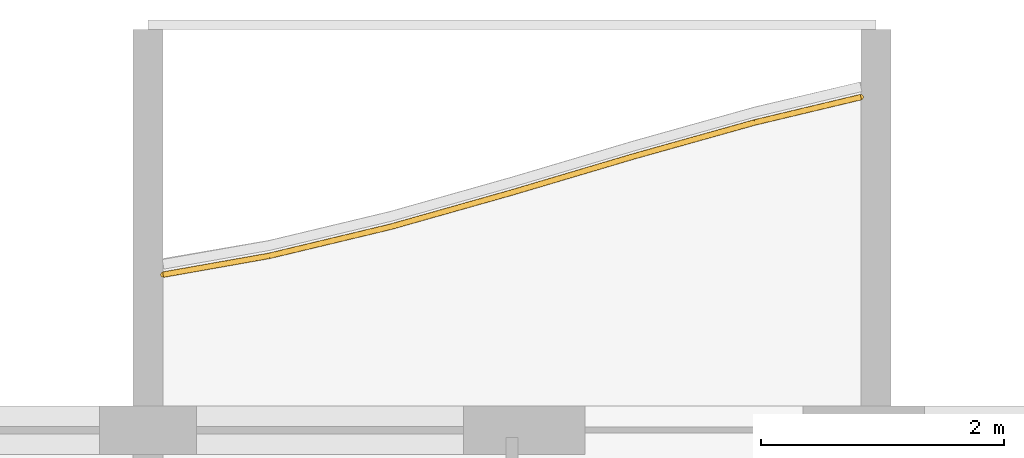
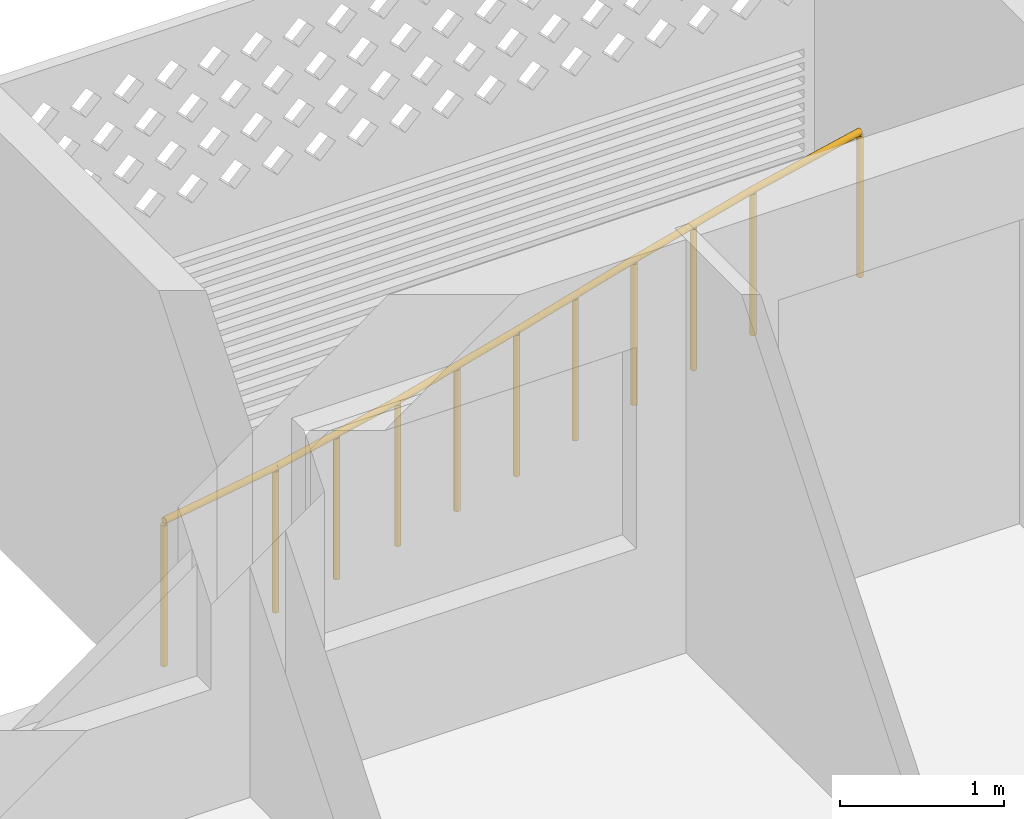
# One storey, part 19 of 26: 1 railing.
"""IFC4 building model written with IfcOpenShell, lengths in metres."""

from ifc_helpers import new_model, si_unit, direction, frame, origin, origin_2d, place, context, subcontext, project, spatial, circle, extrude, material, type_object, element, save


model = new_model("IFC4")

# Units and contexts
model_context = context("Model", 3, precision=1e-05, world=origin(), true_north=direction((0.0, 1.0)))
body_context = subcontext(model_context, "Body", "Model", "MODEL_VIEW")
ifc_project = project(units=[si_unit("LENGTHUNIT", "METRE"), si_unit("AREAUNIT", "SQUARE_METRE"), si_unit("VOLUMEUNIT", "CUBIC_METRE"), si_unit("PLANEANGLEUNIT", "RADIAN"), si_unit("MASSUNIT", "GRAM", prefix="KILO")], contexts=[model_context])

# Site, building, storey
site_placement = place(None, origin())
site = spatial("IfcSite", under=ifc_project, at=site_placement, CompositionType="ELEMENT")
building_placement = place(site_placement, origin())
building = spatial("IfcBuilding", under=site, at=building_placement, Name="Poui Terraces", CompositionType="ELEMENT")
storey_placement = place(building_placement, frame((0.0, 0.0, 244.5)))
storey = spatial("IfcBuildingStorey", under=building, at=storey_placement, Name="L68", CompositionType="ELEMENT", Elevation=244.5)

# Railing
ifc_material = material(Name="Painted steel fretwork", Category="steel")
railing_type = type_object("IfcRailingType", Name="BALCONY GUARD 1100", PredefinedType="GUARDRAIL", material=ifc_material)
railing_placement = place(storey_placement, frame((48.125, 42.481689453125, 0.0)))
element("IfcRailing", 1, at=railing_placement, inside=storey, type_object=railing_type, Name="BALCONY GUARD", PredefinedType="GUARDRAIL", context=body_context, shape_type="SweptSolid", body=[
    extrude(circle(Radius=0.02392578125, at=origin_2d()), frame((0.0, 0.0, 1.076171875), z_axis=(0.984664397592, 0.17445923339, 0.0), x_axis=(-0.17445923339, 0.984664397592, 0.0)), (0.0, 0.0, 1.0), 0.888671875),
    extrude(circle(Radius=0.02392578125, at=origin_2d()), frame((0.875, 0.155029296875, 1.076171875), z_axis=(0.972497106951, 0.232914956523, 0.0), x_axis=(-0.232914956523, 0.972497106951, 0.0)), (0.0, 0.0, 1.0), 1.0283203125),
    extrude(circle(Radius=0.02392578125, at=origin_2d()), frame((1.875, 0.39453125, 1.076171875), z_axis=(0.962282666556, 0.272051593719, 0.0), x_axis=(-0.272051593719, 0.962282666556, 0.0)), (0.0, 0.0, 1.0), 1.039306640625),
    extrude(circle(Radius=0.02392578125, at=origin_2d()), frame((2.875, 0.67724609375, 1.076171875), z_axis=(0.958710700624, 0.284383179018, 0.0), x_axis=(-0.284383179018, 0.958710700624, 0.0)), (0.0, 0.0, 1.0), 1.04296875),
    extrude(circle(Radius=0.02392578125, at=origin_2d()), frame((3.875, 0.973876953125, 1.076171875), z_axis=(0.962895626656, 0.269874067237, 0.0), x_axis=(-0.269874067237, 0.962895626656, 0.0)), (0.0, 0.0, 1.0), 1.03857421875),
    extrude(circle(Radius=0.02392578125, at=origin_2d()), frame((4.875, 1.254150390625, 1.076171875), z_axis=(0.97270419921, 0.232048574309, 0.0), x_axis=(-0.232048574309, 0.97270419921, 0.0)), (0.0, 0.0, 1.0), 0.899658203125),
    extrude(circle(Radius=0.02099609375, at=origin_2d()), origin(), (0.0, 0.0, 1.0), 1.052001953125),
    extrude(circle(Radius=0.02099609375, at=origin_2d()), frame((0.875, 0.155029296875, 0.0)), (0.0, 0.0, 1.0), 1.052001953125),
    extrude(circle(Radius=0.02099609375, at=origin_2d()), frame((1.375, 0.27490234375, 0.0)), (0.0, 0.0, 1.0), 1.052001953125),
    extrude(circle(Radius=0.02099609375, at=origin_2d()), frame((1.875, 0.39453125, 0.0)), (0.0, 0.0, 1.0), 1.052001953125),
    extrude(circle(Radius=0.02099609375, at=origin_2d()), frame((2.375, 0.535888671875, 0.0)), (0.0, 0.0, 1.0), 1.052001953125),
    extrude(circle(Radius=0.02099609375, at=origin_2d()), frame((2.875, 0.67724609375, 0.0)), (0.0, 0.0, 1.0), 1.052001953125),
    extrude(circle(Radius=0.02099609375, at=origin_2d()), frame((3.375, 0.82568359375, 0.0)), (0.0, 0.0, 1.0), 1.052001953125),
    extrude(circle(Radius=0.02099609375, at=origin_2d()), frame((3.875, 0.973876953125, 0.0)), (0.0, 0.0, 1.0), 1.052001953125),
    extrude(circle(Radius=0.02099609375, at=origin_2d()), frame((4.375, 1.114013671875, 0.0)), (0.0, 0.0, 1.0), 1.052001953125),
    extrude(circle(Radius=0.02099609375, at=origin_2d()), frame((4.875, 1.254150390625, 0.0)), (0.0, 0.0, 1.0), 1.052001953125),
    extrude(circle(Radius=0.02099609375, at=origin_2d()), frame((5.75, 1.462890625, 0.0)), (0.0, 0.0, 1.0), 1.052001953125),
])

save(model, "model.ifc")
